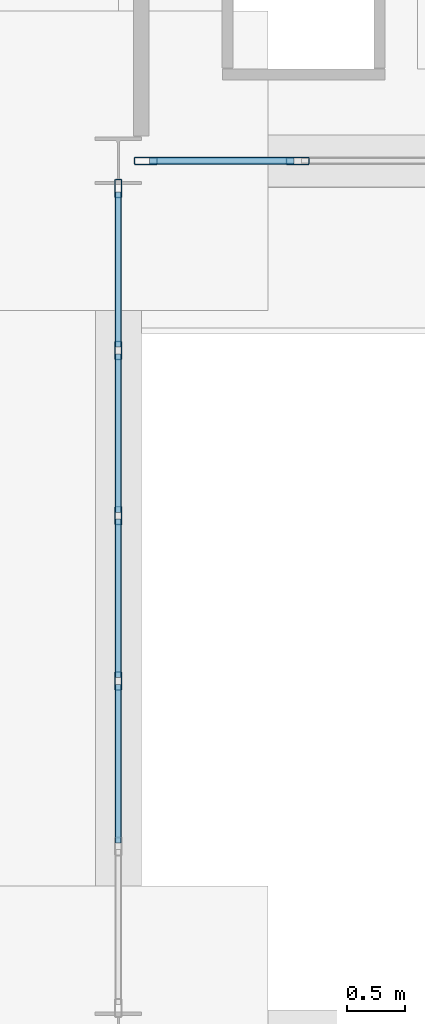
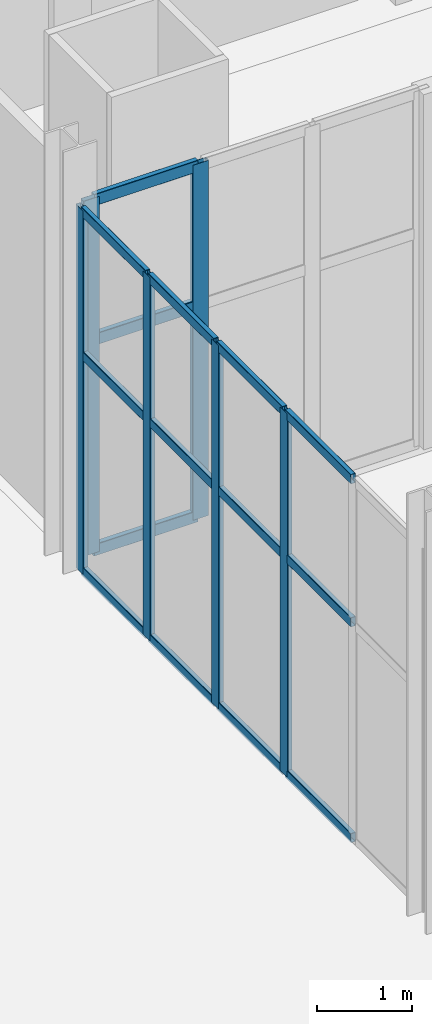
# One storey, part 38 of 95: 21 members, 2 elements without a shape of their own.
"""IFC4 building model written with IfcOpenShell, lengths in metres."""

from ifc_helpers import new_model, si_unit, direction, frame, origin, origin_2d, place, context, subcontext, project, spatial, hollow_rectangle, extrude, material, material_profile, profile_set, type_object, element, aggregate, save


model = new_model("IFC4")

# Units and contexts
model_context = context("Model", 3, precision=1e-05, world=origin(), true_north=direction((0.0, 1.0)))
body_context = subcontext(model_context, "Body", "Model", "MODEL_VIEW")
ifc_project = project(units=[si_unit("LENGTHUNIT", "METRE"), si_unit("AREAUNIT", "SQUARE_METRE"), si_unit("VOLUMEUNIT", "CUBIC_METRE"), si_unit("PLANEANGLEUNIT", "RADIAN"), si_unit("MASSUNIT", "GRAM", prefix="KILO")], contexts=[model_context])

# Site, building, storey
site_placement = place(None, origin())
site = spatial("IfcSite", under=ifc_project, at=site_placement, CompositionType="ELEMENT")
building_placement = place(site_placement, origin())
building = spatial("IfcBuilding", under=site, at=building_placement, Name="Shengluoqiao Park Theatre", CompositionType="ELEMENT")
storey_placement = place(building_placement, origin())
storey = spatial("IfcBuildingStorey", under=building, at=storey_placement, Name="L00", CompositionType="ELEMENT", Elevation=0.0)

# Curtain wall, members
ifc_material = material(Name="Aluminium 6063-T6", Category="aluminium")
curtain_wall_type_1 = type_object("IfcCurtainWallType", Name="ENV-CW-COURT", PredefinedType="NOTDEFINED", material=ifc_material)
curtain_wall_1_placement = place(storey_placement, origin())
curtain_wall_1 = element("IfcCurtainWall", 1, at=curtain_wall_1_placement, inside=storey, type_object=curtain_wall_type_1, Name="L00 Curtain Wall CWX-L00-0211", PredefinedType="NOTDEFINED")
ifc_material_profile_1 = material_profile(ifc_material, hollow_rectangle(XDim=0.06005859375, YDim=0.159912109375, WallThickness=0.00390625, InnerFilletRadius=0.00390625, OuterFilletRadius=0.008056640625, at=origin_2d()), Name="ALU MULLION 160x60x4")
ifc_profile_set_1 = profile_set([ifc_material_profile_1], Name="Aluminium 6063-T6")
member_type_1 = type_object("IfcMemberType", Name="ENV-MUL-160", PredefinedType="MULLION", material=ifc_profile_set_1)
member_1_placement = place(storey_placement, frame((44.39990234375, 63.882080078125, 0.0), z_axis=(0.0, 0.0, 1.0), x_axis=(-1.0, 0.0, 0.0)))
member_1 = element("IfcMember", 2, at=member_1_placement, type_object=member_type_1, Name="CW-05 mullion 3", PredefinedType="MULLION", context=body_context, shape_type="SweptSolid", body=[
    extrude(hollow_rectangle(XDim=0.06005859375, YDim=0.159912109375, WallThickness=0.00390625, InnerFilletRadius=0.00390625, OuterFilletRadius=0.008056640625, at=origin_2d()), origin(), (0.0, 0.0, 1.0), 4.64990234375),
])
member_2_placement = place(storey_placement, frame((44.39990234375, 65.31787109375, 0.0), z_axis=(0.0, 0.0, 1.0), x_axis=(-1.0, 0.0, 0.0)))
member_2 = element("IfcMember", 3, at=member_2_placement, type_object=member_type_1, Name="CW-05 mullion 4", PredefinedType="MULLION", context=body_context, shape_type="SweptSolid", body=[
    extrude(hollow_rectangle(XDim=0.06005859375, YDim=0.159912109375, WallThickness=0.00390625, InnerFilletRadius=0.00390625, OuterFilletRadius=0.008056640625, at=origin_2d()), origin(), (0.0, 0.0, 1.0), 4.64990234375),
])
member_3_placement = place(storey_placement, frame((44.39990234375, 66.75341796875, 0.0), z_axis=(0.0, 0.0, 1.0), x_axis=(-1.0, 0.0, 0.0)))
member_3 = element("IfcMember", 4, at=member_3_placement, type_object=member_type_1, Name="CW-05 mullion 5", PredefinedType="MULLION", context=body_context, shape_type="SweptSolid", body=[
    extrude(hollow_rectangle(XDim=0.06005859375, YDim=0.159912109375, WallThickness=0.00390625, InnerFilletRadius=0.00390625, OuterFilletRadius=0.008056640625, at=origin_2d()), origin(), (0.0, 0.0, 1.0), 4.64990234375),
])
member_4_placement = place(storey_placement, frame((44.39990234375, 68.158935546875, 0.0), z_axis=(0.0, 0.0, 1.0), x_axis=(-1.0, 0.0, 0.0)))
member_4 = element("IfcMember", 5, at=member_4_placement, type_object=member_type_1, Name="CW-05 mullion 6", PredefinedType="MULLION", context=body_context, shape_type="SweptSolid", body=[
    extrude(hollow_rectangle(XDim=0.06005859375, YDim=0.159912109375, WallThickness=0.00390625, InnerFilletRadius=0.00390625, OuterFilletRadius=0.008056640625, at=origin_2d()), origin(), (0.0, 0.0, 1.0), 4.64990234375),
])

curtain_wall_type_2 = type_object("IfcCurtainWallType", Name="ENV-CW-PROM", PredefinedType="NOTDEFINED", material=ifc_material)
curtain_wall_2_placement = place(storey_placement, origin())
curtain_wall_2 = element("IfcCurtainWall", 6, at=curtain_wall_2_placement, inside=storey, type_object=curtain_wall_type_2, Name="L00 Curtain Wall CW-L00-0039", PredefinedType="NOTDEFINED")
ifc_material_profile_2 = material_profile(ifc_material, hollow_rectangle(XDim=0.06494140625, YDim=0.199951171875, WallThickness=0.0048828125, InnerFilletRadius=0.0048828125, OuterFilletRadius=0.010009765625, at=origin_2d()), Name="ALU MULLION 200x65x5")
ifc_profile_set_2 = profile_set([ifc_material_profile_2], Name="Aluminium 6063-T6")
member_type_2 = type_object("IfcMemberType", Name="ENV-MUL-200", PredefinedType="MULLION", material=ifc_profile_set_2)
member_5_placement = place(storey_placement, frame((44.638916015625, 68.39990234375, 0.0), z_axis=(0.0, 0.0, 1.0), x_axis=(0.0, 1.0, 0.0)))
member_5 = element("IfcMember", 7, at=member_5_placement, type_object=member_type_2, Name="CW-04 mullion 1", PredefinedType="MULLION", context=body_context, shape_type="SweptSolid", body=[
    extrude(hollow_rectangle(XDim=0.06494140625, YDim=0.199951171875, WallThickness=0.0048828125, InnerFilletRadius=0.0048828125, OuterFilletRadius=0.010009765625, at=origin_2d()), origin(), (0.0, 0.0, 1.0), 4.5419921875),
])
member_6_placement = place(storey_placement, frame((45.957763671875, 68.39990234375, 0.0), z_axis=(0.0, 0.0, 1.0), x_axis=(0.0, 1.0, 0.0)))
member_6 = element("IfcMember", 8, at=member_6_placement, type_object=member_type_2, Name="CW-04 mullion 2", PredefinedType="MULLION", context=body_context, shape_type="SweptSolid", body=[
    extrude(hollow_rectangle(XDim=0.06494140625, YDim=0.199951171875, WallThickness=0.0048828125, InnerFilletRadius=0.0048828125, OuterFilletRadius=0.010009765625, at=origin_2d()), origin(), (0.0, 0.0, 1.0), 4.5419921875),
])

# Member
ifc_material_profile_3 = material_profile(ifc_material, hollow_rectangle(XDim=0.06005859375, YDim=0.1201171875, WallThickness=0.00390625, InnerFilletRadius=0.00390625, OuterFilletRadius=0.008056640625, at=origin_2d()), Name="ALU TRANSOM 120x60x4")
ifc_profile_set_3 = profile_set([ifc_material_profile_3], Name="Aluminium 6063-T6")
member_type_3 = type_object("IfcMemberType", Name="ENV-TRN-120", PredefinedType="USERDEFINED", material=ifc_profile_set_3)
member_7_placement = place(storey_placement, frame((44.39990234375, 62.4765625, 0.030029296875), z_axis=(0.0, 1.0, 0.0), x_axis=(-1.0, 0.0, 0.0)))
member_7 = element("IfcMember", 9, at=member_7_placement, type_object=member_type_3, Name="CW-05 transom 2.1", ObjectType="TRANSOM", PredefinedType="USERDEFINED", context=body_context, shape_type="SweptSolid", body=[
    extrude(hollow_rectangle(XDim=0.06005859375, YDim=0.1201171875, WallThickness=0.00390625, InnerFilletRadius=0.00390625, OuterFilletRadius=0.008056640625, at=origin_2d()), origin(), (0.0, 0.0, 1.0), 1.375732421875),
])

member_8_placement = place(storey_placement, frame((44.39990234375, 62.4765625, 2.7900390625), z_axis=(0.0, 1.0, 0.0), x_axis=(-1.0, 0.0, 0.0)))
member_8 = element("IfcMember", 10, at=member_8_placement, type_object=member_type_3, Name="CW-05 transom 2.2", ObjectType="TRANSOM", PredefinedType="USERDEFINED", context=body_context, shape_type="SweptSolid", body=[
    extrude(hollow_rectangle(XDim=0.06005859375, YDim=0.1201171875, WallThickness=0.00390625, InnerFilletRadius=0.00390625, OuterFilletRadius=0.008056640625, at=origin_2d()), origin(), (0.0, 0.0, 1.0), 1.375732421875),
])

member_9_placement = place(storey_placement, frame((44.39990234375, 62.4765625, 4.6201171875), z_axis=(0.0, 1.0, 0.0), x_axis=(-1.0, 0.0, 0.0)))
member_9 = element("IfcMember", 11, at=member_9_placement, type_object=member_type_3, Name="CW-05 transom 2.3", ObjectType="TRANSOM", PredefinedType="USERDEFINED", context=body_context, shape_type="SweptSolid", body=[
    extrude(hollow_rectangle(XDim=0.06005859375, YDim=0.1201171875, WallThickness=0.00390625, InnerFilletRadius=0.00390625, OuterFilletRadius=0.008056640625, at=origin_2d()), origin(), (0.0, 0.0, 1.0), 1.375732421875),
])

member_10_placement = place(storey_placement, frame((44.39990234375, 63.912109375, 0.030029296875), z_axis=(0.0, 1.0, 0.0), x_axis=(-1.0, 0.0, 0.0)))
member_10 = element("IfcMember", 12, at=member_10_placement, type_object=member_type_3, Name="CW-05 transom 3.1", ObjectType="TRANSOM", PredefinedType="USERDEFINED", context=body_context, shape_type="SweptSolid", body=[
    extrude(hollow_rectangle(XDim=0.06005859375, YDim=0.1201171875, WallThickness=0.00390625, InnerFilletRadius=0.00390625, OuterFilletRadius=0.008056640625, at=origin_2d()), origin(), (0.0, 0.0, 1.0), 1.375732421875),
])

member_11_placement = place(storey_placement, frame((44.39990234375, 63.912109375, 2.7900390625), z_axis=(0.0, 1.0, 0.0), x_axis=(-1.0, 0.0, 0.0)))
member_11 = element("IfcMember", 13, at=member_11_placement, type_object=member_type_3, Name="CW-05 transom 3.2", ObjectType="TRANSOM", PredefinedType="USERDEFINED", context=body_context, shape_type="SweptSolid", body=[
    extrude(hollow_rectangle(XDim=0.06005859375, YDim=0.1201171875, WallThickness=0.00390625, InnerFilletRadius=0.00390625, OuterFilletRadius=0.008056640625, at=origin_2d()), origin(), (0.0, 0.0, 1.0), 1.375732421875),
])

member_12_placement = place(storey_placement, frame((44.39990234375, 63.912109375, 4.6201171875), z_axis=(0.0, 1.0, 0.0), x_axis=(-1.0, 0.0, 0.0)))
member_12 = element("IfcMember", 14, at=member_12_placement, type_object=member_type_3, Name="CW-05 transom 3.3", ObjectType="TRANSOM", PredefinedType="USERDEFINED", context=body_context, shape_type="SweptSolid", body=[
    extrude(hollow_rectangle(XDim=0.06005859375, YDim=0.1201171875, WallThickness=0.00390625, InnerFilletRadius=0.00390625, OuterFilletRadius=0.008056640625, at=origin_2d()), origin(), (0.0, 0.0, 1.0), 1.375732421875),
])

member_13_placement = place(storey_placement, frame((44.39990234375, 65.347900390625, 0.030029296875), z_axis=(0.0, 1.0, 0.0), x_axis=(-1.0, 0.0, 0.0)))
member_13 = element("IfcMember", 15, at=member_13_placement, type_object=member_type_3, Name="CW-05 transom 4.1", ObjectType="TRANSOM", PredefinedType="USERDEFINED", context=body_context, shape_type="SweptSolid", body=[
    extrude(hollow_rectangle(XDim=0.06005859375, YDim=0.1201171875, WallThickness=0.00390625, InnerFilletRadius=0.00390625, OuterFilletRadius=0.008056640625, at=origin_2d()), origin(), (0.0, 0.0, 1.0), 1.37548828125),
])

member_14_placement = place(storey_placement, frame((44.39990234375, 65.347900390625, 2.7900390625), z_axis=(0.0, 1.0, 0.0), x_axis=(-1.0, 0.0, 0.0)))
member_14 = element("IfcMember", 16, at=member_14_placement, type_object=member_type_3, Name="CW-05 transom 4.2", ObjectType="TRANSOM", PredefinedType="USERDEFINED", context=body_context, shape_type="SweptSolid", body=[
    extrude(hollow_rectangle(XDim=0.06005859375, YDim=0.1201171875, WallThickness=0.00390625, InnerFilletRadius=0.00390625, OuterFilletRadius=0.008056640625, at=origin_2d()), origin(), (0.0, 0.0, 1.0), 1.37548828125),
])

member_15_placement = place(storey_placement, frame((44.39990234375, 65.347900390625, 4.6201171875), z_axis=(0.0, 1.0, 0.0), x_axis=(-1.0, 0.0, 0.0)))
member_15 = element("IfcMember", 17, at=member_15_placement, type_object=member_type_3, Name="CW-05 transom 4.3", ObjectType="TRANSOM", PredefinedType="USERDEFINED", context=body_context, shape_type="SweptSolid", body=[
    extrude(hollow_rectangle(XDim=0.06005859375, YDim=0.1201171875, WallThickness=0.00390625, InnerFilletRadius=0.00390625, OuterFilletRadius=0.008056640625, at=origin_2d()), origin(), (0.0, 0.0, 1.0), 1.37548828125),
])

member_16_placement = place(storey_placement, frame((44.39990234375, 66.783447265625, 0.030029296875), z_axis=(0.0, 1.0, 0.0), x_axis=(-1.0, 0.0, 0.0)))
member_16 = element("IfcMember", 18, at=member_16_placement, type_object=member_type_3, Name="CW-05 transom 5.1", ObjectType="TRANSOM", PredefinedType="USERDEFINED", context=body_context, shape_type="SweptSolid", body=[
    extrude(hollow_rectangle(XDim=0.06005859375, YDim=0.1201171875, WallThickness=0.00390625, InnerFilletRadius=0.00390625, OuterFilletRadius=0.008056640625, at=origin_2d()), origin(), (0.0, 0.0, 1.0), 1.345458984375),
])

member_17_placement = place(storey_placement, frame((44.39990234375, 66.783447265625, 2.7900390625), z_axis=(0.0, 1.0, 0.0), x_axis=(-1.0, 0.0, 0.0)))
member_17 = element("IfcMember", 19, at=member_17_placement, type_object=member_type_3, Name="CW-05 transom 5.2", ObjectType="TRANSOM", PredefinedType="USERDEFINED", context=body_context, shape_type="SweptSolid", body=[
    extrude(hollow_rectangle(XDim=0.06005859375, YDim=0.1201171875, WallThickness=0.00390625, InnerFilletRadius=0.00390625, OuterFilletRadius=0.008056640625, at=origin_2d()), origin(), (0.0, 0.0, 1.0), 1.345458984375),
])

member_18_placement = place(storey_placement, frame((44.39990234375, 66.783447265625, 4.6201171875), z_axis=(0.0, 1.0, 0.0), x_axis=(-1.0, 0.0, 0.0)))
member_18 = element("IfcMember", 20, at=member_18_placement, type_object=member_type_3, Name="CW-05 transom 5.3", ObjectType="TRANSOM", PredefinedType="USERDEFINED", context=body_context, shape_type="SweptSolid", body=[
    extrude(hollow_rectangle(XDim=0.06005859375, YDim=0.1201171875, WallThickness=0.00390625, InnerFilletRadius=0.00390625, OuterFilletRadius=0.008056640625, at=origin_2d()), origin(), (0.0, 0.0, 1.0), 1.345458984375),
])

aggregate(curtain_wall_1, [member_1, member_2, member_3, member_4, member_7, member_8, member_9, member_10, member_11, member_12, member_13, member_14, member_15, member_16, member_17, member_18])

ifc_material_profile_4 = material_profile(ifc_material, hollow_rectangle(XDim=0.06494140625, YDim=0.14990234375, WallThickness=0.00390625, InnerFilletRadius=0.00390625, OuterFilletRadius=0.008056640625, at=origin_2d()), Name="ALU TRANSOM 150x65x4")
ifc_profile_set_4 = profile_set([ifc_material_profile_4], Name="Aluminium 6063-T6")
member_type_4 = type_object("IfcMemberType", Name="ENV-TRN-150", PredefinedType="USERDEFINED", material=ifc_profile_set_4)
member_19_placement = place(storey_placement, frame((44.67138671875, 68.39990234375, 0.032470703125), z_axis=(1.0, 0.0, 0.0), x_axis=(0.0, 1.0, 0.0)))
member_19 = element("IfcMember", 21, at=member_19_placement, type_object=member_type_4, Name="CW-04 transom 1.1", ObjectType="TRANSOM", PredefinedType="USERDEFINED", context=body_context, shape_type="SweptSolid", body=[
    extrude(hollow_rectangle(XDim=0.06494140625, YDim=0.14990234375, WallThickness=0.00390625, InnerFilletRadius=0.00390625, OuterFilletRadius=0.008056640625, at=origin_2d()), origin(), (0.0, 0.0, 1.0), 1.253662109375),
])

member_20_placement = place(storey_placement, frame((44.67138671875, 68.39990234375, 2.72509765625), z_axis=(1.0, 0.0, 0.0), x_axis=(0.0, 1.0, 0.0)))
member_20 = element("IfcMember", 22, at=member_20_placement, type_object=member_type_4, Name="CW-04 transom 1.2", ObjectType="TRANSOM", PredefinedType="USERDEFINED", context=body_context, shape_type="SweptSolid", body=[
    extrude(hollow_rectangle(XDim=0.06494140625, YDim=0.14990234375, WallThickness=0.00390625, InnerFilletRadius=0.00390625, OuterFilletRadius=0.008056640625, at=origin_2d()), origin(), (0.0, 0.0, 1.0), 1.253662109375),
])

member_21_placement = place(storey_placement, frame((44.67138671875, 68.39990234375, 4.509521484375), z_axis=(1.0, 0.0, 0.0), x_axis=(0.0, 1.0, 0.0)))
member_21 = element("IfcMember", 23, at=member_21_placement, type_object=member_type_4, Name="CW-04 transom 1.3", ObjectType="TRANSOM", PredefinedType="USERDEFINED", context=body_context, shape_type="SweptSolid", body=[
    extrude(hollow_rectangle(XDim=0.06494140625, YDim=0.14990234375, WallThickness=0.00390625, InnerFilletRadius=0.00390625, OuterFilletRadius=0.008056640625, at=origin_2d()), origin(), (0.0, 0.0, 1.0), 1.253662109375),
])

aggregate(curtain_wall_2, [member_5, member_6, member_19, member_20, member_21])

save(model, "model.ifc")
